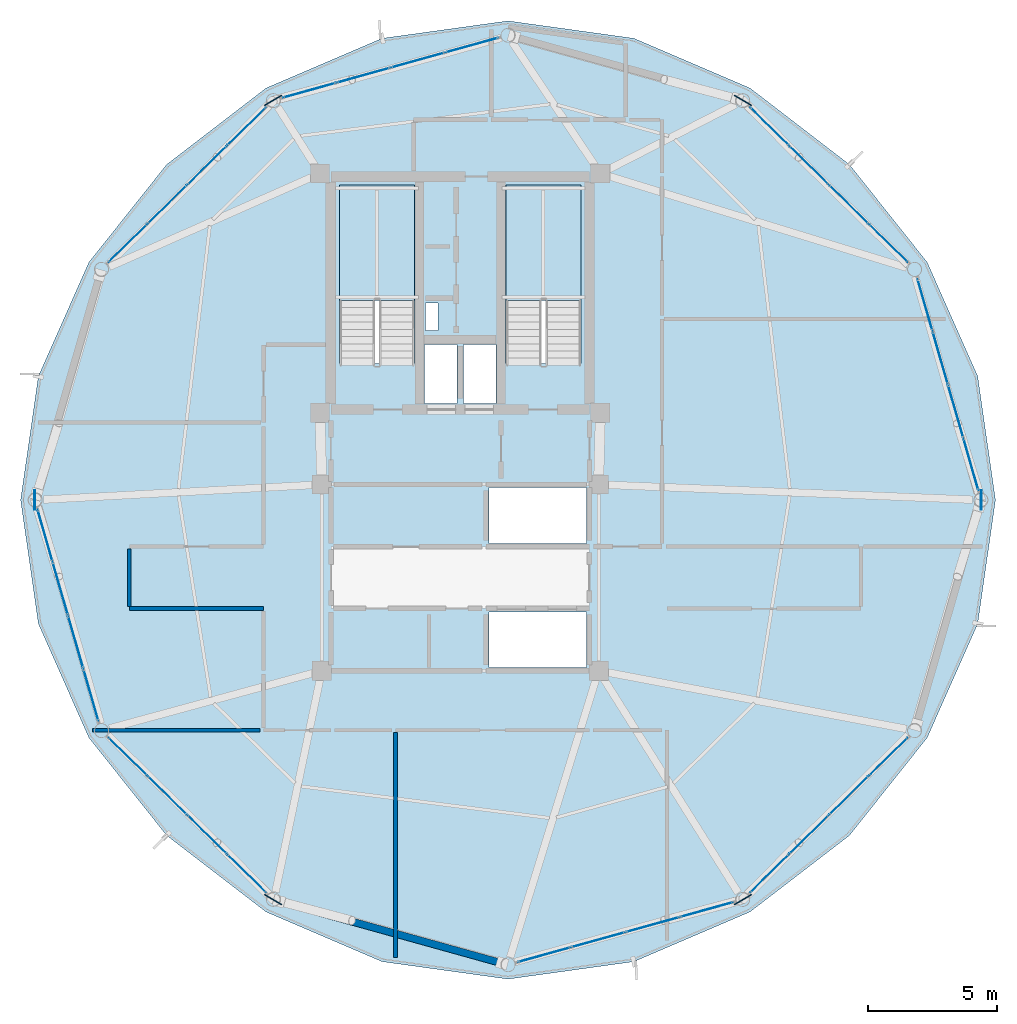
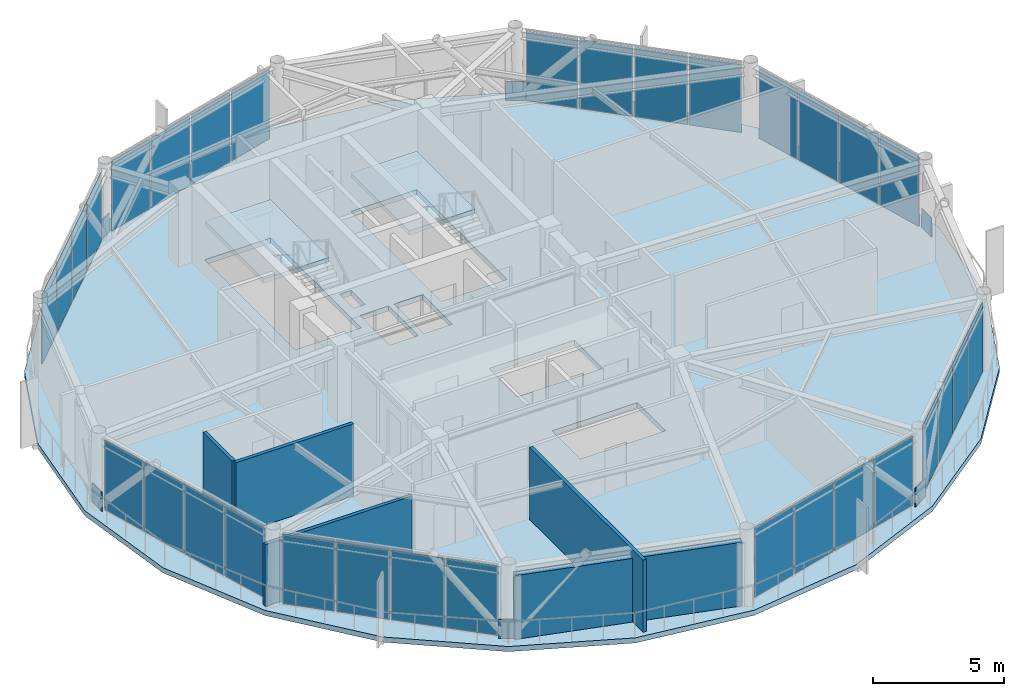
# One storey, part 19 of 25: 38 plates, 5 walls, 3 slabs, 10 elements without a shape of their own.
"""IFC4 building model written with IfcOpenShell, lengths in metres."""

from ifc_helpers import new_model, si_unit, direction, frame, frame_2d, origin, origin_2d, place, context, subcontext, project, spatial, polyline, rectangle, outline, extrude, source, transform, mapped, material, layer, layer_set, type_object, type_shapes, element, aggregate, save


model = new_model("IFC4")

# Units and contexts
model_context = context("Model", 3, precision=1e-05, world=origin(), true_north=direction((0.0, 1.0)))
body_context = subcontext(model_context, "Body", "Model", "MODEL_VIEW")
ifc_project = project(units=[si_unit("LENGTHUNIT", "METRE"), si_unit("AREAUNIT", "SQUARE_METRE"), si_unit("VOLUMEUNIT", "CUBIC_METRE"), si_unit("PLANEANGLEUNIT", "RADIAN"), si_unit("MASSUNIT", "GRAM", prefix="KILO")], contexts=[model_context])

# Site, building, storey
site_placement = place(None, origin())
site = spatial("IfcSite", under=ifc_project, at=site_placement, CompositionType="ELEMENT")
building_placement = place(site_placement, origin())
building = spatial("IfcBuilding", under=site, at=building_placement, Name="Varnakorn Sky Granary", CompositionType="ELEMENT")
storey_placement = place(building_placement, frame((0.0, 0.0, 259.800048828125)))
storey = spatial("IfcBuildingStorey", under=building, at=storey_placement, Name="L66", CompositionType="ELEMENT", Elevation=259.800048828125)

# Plates
ifc_material_1 = material(Name="Steel S460M", Category="steel")
ifc_layer_1 = layer(ifc_material_1, 0.035888671875, Name="Steel S460M")
ifc_layer_set_1 = layer_set([ifc_layer_1], Name="Steel S460M")
plate_type_1 = type_object("IfcPlateType", Name="PL-NODE-KN4", PredefinedType="SHEET", material=ifc_layer_set_1)
for number, where, z_axis, x_axis, name in (
    (1, (23.14208984375, 0.0, 0.0), (0.0, 0.0, 1.0), (0.0, 1.0, 0.0), "Diagrid Node Gusset Assembly KN4 L66-1"),
    (2, (13.928466796875, 15.4462890625, 0.0), (0.0, 0.0, 1.0), (-0.86211996365, 0.506704221687, 0.0), "Diagrid Node Gusset Assembly KN4 L66-3"),
    (3, (-4.228515625, 15.4462890625, 0.0), (0.0, 0.0, 1.0), (-0.86211996365, -0.506704221687, 0.0), "Diagrid Node Gusset Assembly KN4 L66-5"),
    (4, (-13.44189453125, 0.0, 0.0), (0.0, 0.0, 1.0), (0.0, -1.0, 0.0), "Diagrid Node Gusset Assembly KN4 L66-7"),
    (5, (-4.228515625, -15.4462890625, 0.0), (0.0, 0.0, 1.0), (0.86211996365, -0.506704221687, 0.0), "Diagrid Node Gusset Assembly KN4 L66-9"),
    (6, (13.928466796875, -15.4462890625, 0.0), (0.0, 0.0, 1.0), (0.86211996365, 0.506704221687, 0.0), "Diagrid Node Gusset Assembly KN4 L66-11"),
):
    element("IfcPlate", number, at=place(storey_placement, frame(where, z_axis=z_axis, x_axis=x_axis)), inside=storey, type_object=plate_type_1, Name=name, PredefinedType="SHEET", context=body_context, shape_type="SweptSolid", body=[
        extrude(rectangle(XDim=0.760009765625, YDim=0.035888671875, at=origin_2d()), origin(), (0.0, 0.0, 1.0), 0.8798828125),
    ])

# Stair, slab
ifc_material_2 = material(Name="Concrete C40/50", Category="concrete")
stair_type = type_object("IfcStairType", Name="ST-MAIN-ASSEMBLY", PredefinedType="HALF_TURN_STAIR", material=ifc_material_2)
stair_1_placement = place(storey_placement, origin())
stair_1 = element("IfcStair", 7, at=stair_1_placement, inside=storey, type_object=stair_type, Name="L66 Protected Exit Stair ST-1", PredefinedType="HALF_TURN_STAIR")
ifc_layer_2 = layer(ifc_material_2, 0.199951171875, Name="Concrete C40/50")
ifc_layer_set_2 = layer_set([ifc_layer_2], Name="Concrete C40/50")
slab_type_1 = type_object("IfcSlabType", Name="ST-MAIN-LAND", PredefinedType="LANDING", material=ifc_layer_set_2)
slab_1_placement = place(storey_placement, frame((0.0, 0.0, 1.599853515625)))
slab_1 = element("IfcSlab", 8, at=slab_1_placement, type_object=slab_type_1, Name="ST-1 landing 1", PredefinedType="LANDING", context=body_context, shape_type="SweptSolid", body=[
    extrude(outline(polyline([(1.239990234375, 7.719970703125), (1.239990234375, 12.179931640625), (-1.669921875, 12.179931640625), (-1.669921875, 7.719970703125), (1.239990234375, 7.719970703125)])), origin(), (0.0, 0.0, 1.0), 0.2001953125),
])
aggregate(stair_1, [slab_1])

stair_2_placement = place(storey_placement, origin())
stair_2 = element("IfcStair", 9, at=stair_2_placement, inside=storey, type_object=stair_type, Name="L66 Protected Exit Stair ST-2", PredefinedType="HALF_TURN_STAIR")
slab_2_placement = place(storey_placement, frame((0.0, 0.0, 1.599853515625)))
slab_2 = element("IfcSlab", 10, at=slab_2_placement, type_object=slab_type_1, Name="ST-2 landing 1", PredefinedType="LANDING", context=body_context, shape_type="SweptSolid", body=[
    extrude(outline(polyline([(7.679931640625, 7.719970703125), (7.679931640625, 12.179931640625), (4.77001953125, 12.179931640625), (4.77001953125, 7.719970703125), (7.679931640625, 7.719970703125)])), origin(), (0.0, 0.0, 1.0), 0.2001953125),
])
aggregate(stair_2, [slab_2])

# Slab
ifc_material_3 = material(Name="Concrete C50/60", Category="concrete")
ifc_layer_3 = layer(ifc_material_3, 0.239990234375, Name="Concrete C50/60")
ifc_layer_set_3 = layer_set([ifc_layer_3], Name="Concrete C50/60")
slab_type_2 = type_object("IfcSlabType", Name="ST-SL-TWR-240", PredefinedType="FLOOR", material=ifc_layer_set_3)
slab_3_placement = place(storey_placement, frame((0.0, 0.0, -0.239990234375)))
element("IfcSlab", 11, at=slab_3_placement, inside=storey, type_object=slab_type_2, Name="Level L66 Structural Floor Slab", PredefinedType="FLOOR", context=body_context, shape_type="SweptSolid", body=[
    extrude(outline(polyline([(23.69189453125, 0.0), (23.006591796875, 4.781982421875), (21.05078125, 9.193115234375), (18.0458984375, 12.968994140625), (14.20361328125, 15.922607421875), (9.715087890625, 17.846435546875), (4.85009765625, 18.52099609375), (-0.014892578125, 17.846435546875), (-4.50341796875, 15.922607421875), (-8.345947265625, 12.968994140625), (-11.3505859375, 9.193115234375), (-13.306396484375, 4.781982421875), (-13.991943359375, 0.0), (-13.306396484375, -4.781982421875), (-11.3505859375, -9.193115234375), (-8.345947265625, -12.968994140625), (-4.50341796875, -15.922607421875), (-0.014892578125, -17.846435546875), (4.85009765625, -18.52099609375), (9.715087890625, -17.846435546875), (14.20361328125, -15.922607421875), (18.0458984375, -12.968994140625), (21.05078125, -9.193115234375), (23.006591796875, -4.781982421875), (23.69189453125, 0.0)]), holes=[polyline([(1.239990234375, 5.27490234375), (1.239990234375, 12.179931640625), (-1.669921875, 12.179931640625), (-1.669921875, 5.27490234375), (1.239990234375, 5.27490234375)]), polyline([(7.679931640625, 5.27490234375), (7.679931640625, 12.179931640625), (4.77001953125, 12.179931640625), (4.77001953125, 5.27490234375), (7.679931640625, 5.27490234375)]), polyline([(1.659912109375, 6.550048828125), (2.14990234375, 6.550048828125), (2.14990234375, 7.6201171875), (1.659912109375, 7.6201171875), (1.659912109375, 6.550048828125)]), polyline([(1.6201171875, 3.739990234375), (2.8798828125, 3.739990234375), (2.8798828125, 6.010009765625), (1.6201171875, 6.010009765625), (1.6201171875, 3.739990234375)]), polyline([(3.1201171875, 3.739990234375), (4.3798828125, 3.739990234375), (4.3798828125, 6.010009765625), (3.1201171875, 6.010009765625), (3.1201171875, 3.739990234375)]), polyline([(4.1201171875, -1.679931640625), (7.8798828125, -1.679931640625), (7.8798828125, 0.47998046875), (4.1201171875, 0.47998046875), (4.1201171875, -1.679931640625)]), polyline([(4.1201171875, -6.47998046875), (7.8798828125, -6.47998046875), (7.8798828125, -4.320068359375), (4.1201171875, -4.320068359375), (4.1201171875, -6.47998046875)])]), origin(), (0.0, 0.0, 1.0), 0.239990234375),
])

# Curtain wall, plates
ifc_material_4 = material(Name="Anodised Bronze Aluminium Alloy 6063-T6", Category="aluminium")
ifc_layer_4 = layer(ifc_material_4, 0.159912109375, Name="Anodised Bronze Aluminium Alloy 6063-T6")
ifc_layer_set_4 = layer_set([ifc_layer_4], Name="Anodised Bronze Aluminium Alloy 6063-T6")
curtain_wall_type = type_object("IfcCurtainWallType", Name="CW-OFF-1", PredefinedType="USERDEFINED", material=ifc_layer_set_4)
curtain_wall_1_placement = place(storey_placement, origin())
curtain_wall_1 = element("IfcCurtainWall", 12, at=curtain_wall_1_placement, inside=storey, type_object=curtain_wall_type, Name="Unitised Curtain Wall CW6 CW-L66-B01", ObjectType="CURTAIN WALL", PredefinedType="USERDEFINED")
ifc_material_5 = material(Name="Low-E Tinted Laminated Glass", Category="glass")
ifc_layer_5 = layer(ifc_material_5, 0.02392578125, Name="Low-E Tinted Laminated Glass")
ifc_layer_set_5 = layer_set([ifc_layer_5], Name="Low-E Tinted Laminated Glass")
plate_type_2 = type_object("IfcPlateType", Name="CW-OFF-1-PNL", PredefinedType="CURTAIN_PANEL")
shared_shape_1 = source(origin(), body_context, "Body", "SweptSolid", [
    extrude(rectangle(XDim=2.052734375, YDim=0.02392578125, at=origin_2d()), origin(), (0.0, 0.0, 1.0), 3.22998046875),
])
plate_1_placement = place(storey_placement, frame((20.97021484375, 7.54296875, 0.06494140625), z_axis=(0.0, 0.0, 1.0), x_axis=(0.27667680725, -0.960963029638, 0.0)))
plate_1 = element("IfcPlate", 13, at=plate_1_placement, type_object=plate_type_2, material=ifc_layer_set_5, Name="CW6 vision glazing unit 1.1", PredefinedType="CURTAIN_PANEL", context=body_context, shape_type="MappedRepresentation", body=[
    mapped(shared_shape_1, transform((0.0, 0.0, 0.0), x_axis=(1.0, 0.0, 0.0), y_axis=(0.0, 1.0, 0.0), z_axis=(0.0, 0.0, 1.0), scale=1.0)),
])
ifc_material_6 = material(Name="Opaque Insulated Aluminium Shadow-Box Unit", Category="aluminium")
ifc_layer_6 = layer(ifc_material_6, 0.02392578125, Name="Opaque Insulated Aluminium Shadow-Box Unit")
ifc_layer_set_6 = layer_set([ifc_layer_6], Name="Opaque Insulated Aluminium Shadow-Box Unit")
plate_2_placement = place(storey_placement, frame((22.74609375, 1.375, 0.06494140625), z_axis=(0.0, 0.0, 1.0), x_axis=(0.27667680725, -0.960963029638, 0.0)))
plate_2 = element("IfcPlate", 14, at=plate_2_placement, type_object=plate_type_2, material=ifc_layer_set_6, Name="CW6 opaque insulated shadow-box unit 4.1", PredefinedType="CURTAIN_PANEL", context=body_context, shape_type="MappedRepresentation", body=[
    mapped(shared_shape_1, transform((0.0, 0.0, 0.0), x_axis=(1.0, 0.0, 0.0), y_axis=(0.0, 1.0, 0.0), z_axis=(0.0, 0.0, 1.0), scale=1.0)),
])

curtain_wall_2_placement = place(storey_placement, origin())
curtain_wall_2 = element("IfcCurtainWall", 15, at=curtain_wall_2_placement, inside=storey, type_object=curtain_wall_type, Name="Unitised Curtain Wall CW6 CW-L66-B07", ObjectType="CURTAIN WALL", PredefinedType="USERDEFINED")
plate_3_placement = place(storey_placement, frame((-11.270263671875, -7.54296875, 0.06494140625), z_axis=(0.0, 0.0, 1.0), x_axis=(-0.27667680725, 0.960963029638, 0.0)))
plate_3 = element("IfcPlate", 16, at=plate_3_placement, type_object=plate_type_2, material=ifc_layer_set_5, Name="CW6 vision glazing unit 1.1", PredefinedType="CURTAIN_PANEL", context=body_context, shape_type="MappedRepresentation", body=[
    mapped(shared_shape_1, transform((0.0, 0.0, 0.0), x_axis=(1.0, 0.0, 0.0), y_axis=(0.0, 1.0, 0.0), z_axis=(0.0, 0.0, 1.0), scale=1.0)),
])
plate_4_placement = place(storey_placement, frame((-13.046142578125, -1.375, 0.06494140625), z_axis=(0.0, 0.0, 1.0), x_axis=(-0.27667680725, 0.960963029638, 0.0)))
plate_4 = element("IfcPlate", 17, at=plate_4_placement, type_object=plate_type_2, material=ifc_layer_set_6, Name="CW6 opaque insulated shadow-box unit 4.1", PredefinedType="CURTAIN_PANEL", context=body_context, shape_type="MappedRepresentation", body=[
    mapped(shared_shape_1, transform((0.0, 0.0, 0.0), x_axis=(1.0, 0.0, 0.0), y_axis=(0.0, 1.0, 0.0), z_axis=(0.0, 0.0, 1.0), scale=1.0)),
])

# Plate
shared_shape_2 = source(origin(), body_context, "Body", "SweptSolid", [
    extrude(rectangle(XDim=2.08544921875, YDim=0.02392578125, at=origin_2d()), origin(), (0.0, 0.0, 1.0), 3.22998046875),
])
plate_5_placement = place(storey_placement, frame((21.560791015625, 5.4921875, 0.06494140625), z_axis=(0.0, 0.0, 1.0), x_axis=(0.27667680725, -0.960963029638, 0.0)))
plate_5 = element("IfcPlate", 18, at=plate_5_placement, type_object=plate_type_2, material=ifc_layer_set_5, Name="CW6 vision glazing unit 2.1", PredefinedType="CURTAIN_PANEL", context=body_context, shape_type="MappedRepresentation", body=[
    mapped(shared_shape_2, transform((0.0, 0.0, 0.0), x_axis=(1.0, 0.0, 0.0), y_axis=(0.0, 1.0, 0.0), z_axis=(0.0, 0.0, 1.0), scale=1.0)),
])

plate_6_placement = place(storey_placement, frame((22.15576171875, 3.42578125, 0.06494140625), z_axis=(0.0, 0.0, 1.0), x_axis=(0.27667680725, -0.960963029638, 0.0)))
plate_6 = element("IfcPlate", 19, at=plate_6_placement, type_object=plate_type_2, material=ifc_layer_set_6, Name="CW6 opaque insulated shadow-box unit 3.1", PredefinedType="CURTAIN_PANEL", context=body_context, shape_type="MappedRepresentation", body=[
    mapped(shared_shape_2, transform((0.0, 0.0, 0.0), x_axis=(1.0, 0.0, 0.0), y_axis=(0.0, 1.0, 0.0), z_axis=(0.0, 0.0, 1.0), scale=1.0)),
])

aggregate(curtain_wall_1, [plate_1, plate_5, plate_6, plate_2])

plate_7_placement = place(storey_placement, frame((-11.86083984375, -5.4921875, 0.06494140625), z_axis=(0.0, 0.0, 1.0), x_axis=(-0.27667680725, 0.960963029638, 0.0)))
plate_7 = element("IfcPlate", 20, at=plate_7_placement, type_object=plate_type_2, material=ifc_layer_set_5, Name="CW6 vision glazing unit 2.1", PredefinedType="CURTAIN_PANEL", context=body_context, shape_type="MappedRepresentation", body=[
    mapped(shared_shape_2, transform((0.0, 0.0, 0.0), x_axis=(1.0, 0.0, 0.0), y_axis=(0.0, 1.0, 0.0), z_axis=(0.0, 0.0, 1.0), scale=1.0)),
])

plate_8_placement = place(storey_placement, frame((-12.45556640625, -3.42578125, 0.06494140625), z_axis=(0.0, 0.0, 1.0), x_axis=(-0.27667680725, 0.960963029638, 0.0)))
plate_8 = element("IfcPlate", 21, at=plate_8_placement, type_object=plate_type_2, material=ifc_layer_set_6, Name="CW6 opaque insulated shadow-box unit 3.1", PredefinedType="CURTAIN_PANEL", context=body_context, shape_type="MappedRepresentation", body=[
    mapped(shared_shape_2, transform((0.0, 0.0, 0.0), x_axis=(1.0, 0.0, 0.0), y_axis=(0.0, 1.0, 0.0), z_axis=(0.0, 0.0, 1.0), scale=1.0)),
])

aggregate(curtain_wall_2, [plate_3, plate_7, plate_8, plate_4])

# Curtain wall, plates
curtain_wall_3_placement = place(storey_placement, origin())
curtain_wall_3 = element("IfcCurtainWall", 22, at=curtain_wall_3_placement, inside=storey, type_object=curtain_wall_type, Name="Unitised Curtain Wall CW6 CW-L66-B02", ObjectType="CURTAIN WALL", PredefinedType="USERDEFINED")
shared_shape_3 = source(origin(), body_context, "Body", "SweptSolid", [
    extrude(rectangle(XDim=2.061767578125, YDim=0.02392578125, at=origin_2d()), origin(), (0.0, 0.0, 1.0), 3.22998046875),
])
plate_9_placement = place(storey_placement, frame((14.952392578125, 14.4404296875, 0.06494140625), z_axis=(0.0, 0.0, 1.0), x_axis=(0.713382938068, -0.700774417108, 0.0)))
plate_9 = element("IfcPlate", 23, at=plate_9_placement, type_object=plate_type_2, material=ifc_layer_set_6, Name="CW6 opaque insulated shadow-box unit 1.1", PredefinedType="CURTAIN_PANEL", context=body_context, shape_type="MappedRepresentation", body=[
    mapped(shared_shape_3, transform((0.0, 0.0, 0.0), x_axis=(1.0, 0.0, 0.0), y_axis=(0.0, 1.0, 0.0), z_axis=(0.0, 0.0, 1.0), scale=1.0)),
])
plate_10_placement = place(storey_placement, frame((19.550537109375, 9.923828125, 0.06494140625), z_axis=(0.0, 0.0, 1.0), x_axis=(0.713382938068, -0.700774417108, 0.0)))
plate_10 = element("IfcPlate", 24, at=plate_10_placement, type_object=plate_type_2, material=ifc_layer_set_5, Name="CW6 vision glazing unit 4.1", PredefinedType="CURTAIN_PANEL", context=body_context, shape_type="MappedRepresentation", body=[
    mapped(shared_shape_3, transform((0.0, 0.0, 0.0), x_axis=(1.0, 0.0, 0.0), y_axis=(0.0, 1.0, 0.0), z_axis=(0.0, 0.0, 1.0), scale=1.0)),
])

curtain_wall_4_placement = place(storey_placement, origin())
curtain_wall_4 = element("IfcCurtainWall", 25, at=curtain_wall_4_placement, inside=storey, type_object=curtain_wall_type, Name="Unitised Curtain Wall CW6 CW-L66-B05", ObjectType="CURTAIN WALL", PredefinedType="USERDEFINED")
plate_11_placement = place(storey_placement, frame((-9.850341796875, 9.923828125, 0.06494140625), z_axis=(0.0, 0.0, 1.0), x_axis=(0.713382938068, 0.700774417108, 0.0)))
plate_11 = element("IfcPlate", 26, at=plate_11_placement, type_object=plate_type_2, material=ifc_layer_set_5, Name="CW6 vision glazing unit 1.1", PredefinedType="CURTAIN_PANEL", context=body_context, shape_type="MappedRepresentation", body=[
    mapped(shared_shape_3, transform((0.0, 0.0, 0.0), x_axis=(1.0, 0.0, 0.0), y_axis=(0.0, 1.0, 0.0), z_axis=(0.0, 0.0, 1.0), scale=1.0)),
])
plate_12_placement = place(storey_placement, frame((-5.25244140625, 14.4404296875, 0.06494140625), z_axis=(0.0, 0.0, 1.0), x_axis=(0.713382938068, 0.700774417108, 0.0)))
plate_12 = element("IfcPlate", 27, at=plate_12_placement, type_object=plate_type_2, material=ifc_layer_set_6, Name="CW6 opaque insulated shadow-box unit 4.1", PredefinedType="CURTAIN_PANEL", context=body_context, shape_type="MappedRepresentation", body=[
    mapped(shared_shape_3, transform((0.0, 0.0, 0.0), x_axis=(1.0, 0.0, 0.0), y_axis=(0.0, 1.0, 0.0), z_axis=(0.0, 0.0, 1.0), scale=1.0)),
])

curtain_wall_5_placement = place(storey_placement, origin())
curtain_wall_5 = element("IfcCurtainWall", 28, at=curtain_wall_5_placement, inside=storey, type_object=curtain_wall_type, Name="Unitised Curtain Wall CW6 CW-L66-B08", ObjectType="CURTAIN WALL", PredefinedType="USERDEFINED")
plate_13_placement = place(storey_placement, frame((-5.25244140625, -14.4404296875, 0.06494140625), z_axis=(0.0, 0.0, 1.0), x_axis=(-0.713382938068, 0.700774417108, 0.0)))
plate_13 = element("IfcPlate", 29, at=plate_13_placement, type_object=plate_type_2, material=ifc_layer_set_6, Name="CW6 opaque insulated shadow-box unit 1.1", PredefinedType="CURTAIN_PANEL", context=body_context, shape_type="MappedRepresentation", body=[
    mapped(shared_shape_3, transform((0.0, 0.0, 0.0), x_axis=(1.0, 0.0, 0.0), y_axis=(0.0, 1.0, 0.0), z_axis=(0.0, 0.0, 1.0), scale=1.0)),
])
plate_14_placement = place(storey_placement, frame((-9.850341796875, -9.923828125, 0.06494140625), z_axis=(0.0, 0.0, 1.0), x_axis=(-0.713382938068, 0.700774417108, 0.0)))
plate_14 = element("IfcPlate", 30, at=plate_14_placement, type_object=plate_type_2, material=ifc_layer_set_5, Name="CW6 vision glazing unit 4.1", PredefinedType="CURTAIN_PANEL", context=body_context, shape_type="MappedRepresentation", body=[
    mapped(shared_shape_3, transform((0.0, 0.0, 0.0), x_axis=(1.0, 0.0, 0.0), y_axis=(0.0, 1.0, 0.0), z_axis=(0.0, 0.0, 1.0), scale=1.0)),
])

curtain_wall_6_placement = place(storey_placement, origin())
curtain_wall_6 = element("IfcCurtainWall", 31, at=curtain_wall_6_placement, inside=storey, type_object=curtain_wall_type, Name="Unitised Curtain Wall CW6 CW-L66-B11", ObjectType="CURTAIN WALL", PredefinedType="USERDEFINED")
plate_15_placement = place(storey_placement, frame((19.550537109375, -9.923828125, 0.06494140625), z_axis=(0.0, 0.0, 1.0), x_axis=(-0.713382938068, -0.700774417108, 0.0)))
plate_15 = element("IfcPlate", 32, at=plate_15_placement, type_object=plate_type_2, material=ifc_layer_set_5, Name="CW6 vision glazing unit 1.1", PredefinedType="CURTAIN_PANEL", context=body_context, shape_type="MappedRepresentation", body=[
    mapped(shared_shape_3, transform((0.0, 0.0, 0.0), x_axis=(1.0, 0.0, 0.0), y_axis=(0.0, 1.0, 0.0), z_axis=(0.0, 0.0, 1.0), scale=1.0)),
])
plate_16_placement = place(storey_placement, frame((14.952392578125, -14.4404296875, 0.06494140625), z_axis=(0.0, 0.0, 1.0), x_axis=(-0.713382938068, -0.700774417108, 0.0)))
plate_16 = element("IfcPlate", 33, at=plate_16_placement, type_object=plate_type_2, material=ifc_layer_set_6, Name="CW6 opaque insulated shadow-box unit 4.1", PredefinedType="CURTAIN_PANEL", context=body_context, shape_type="MappedRepresentation", body=[
    mapped(shared_shape_3, transform((0.0, 0.0, 0.0), x_axis=(1.0, 0.0, 0.0), y_axis=(0.0, 1.0, 0.0), z_axis=(0.0, 0.0, 1.0), scale=1.0)),
])

# Plate
shared_shape_4 = source(origin(), body_context, "Body", "SweptSolid", [
    extrude(rectangle(XDim=2.09423828125, YDim=0.02392578125, at=origin_2d()), origin(), (0.0, 0.0, 1.0), 3.22998046875),
])
plate_17_placement = place(storey_placement, frame((16.481201171875, 12.938720703125, 0.06494140625), z_axis=(0.0, 0.0, 1.0), x_axis=(0.713382938068, -0.700774417108, 0.0)))
plate_17 = element("IfcPlate", 34, at=plate_17_placement, type_object=plate_type_2, material=ifc_layer_set_6, Name="CW6 opaque insulated shadow-box unit 2.1", PredefinedType="CURTAIN_PANEL", context=body_context, shape_type="MappedRepresentation", body=[
    mapped(shared_shape_4, transform((0.0, 0.0, 0.0), x_axis=(1.0, 0.0, 0.0), y_axis=(0.0, 1.0, 0.0), z_axis=(0.0, 0.0, 1.0), scale=1.0)),
])

plate_18_placement = place(storey_placement, frame((18.021728515625, 11.425537109375, 0.06494140625), z_axis=(0.0, 0.0, 1.0), x_axis=(0.713382938068, -0.700774417108, 0.0)))
plate_18 = element("IfcPlate", 35, at=plate_18_placement, type_object=plate_type_2, material=ifc_layer_set_5, Name="CW6 vision glazing unit 3.1", PredefinedType="CURTAIN_PANEL", context=body_context, shape_type="MappedRepresentation", body=[
    mapped(shared_shape_4, transform((0.0, 0.0, 0.0), x_axis=(1.0, 0.0, 0.0), y_axis=(0.0, 1.0, 0.0), z_axis=(0.0, 0.0, 1.0), scale=1.0)),
])

aggregate(curtain_wall_3, [plate_9, plate_17, plate_18, plate_10])

plate_19_placement = place(storey_placement, frame((-8.321533203125, 11.425537109375, 0.06494140625), z_axis=(0.0, 0.0, 1.0), x_axis=(0.713382938068, 0.700774417108, 0.0)))
plate_19 = element("IfcPlate", 36, at=plate_19_placement, type_object=plate_type_2, material=ifc_layer_set_5, Name="CW6 vision glazing unit 2.1", PredefinedType="CURTAIN_PANEL", context=body_context, shape_type="MappedRepresentation", body=[
    mapped(shared_shape_4, transform((0.0, 0.0, 0.0), x_axis=(1.0, 0.0, 0.0), y_axis=(0.0, 1.0, 0.0), z_axis=(0.0, 0.0, 1.0), scale=1.0)),
])

plate_20_placement = place(storey_placement, frame((-6.78125, 12.938720703125, 0.06494140625), z_axis=(0.0, 0.0, 1.0), x_axis=(0.713382938068, 0.700774417108, 0.0)))
plate_20 = element("IfcPlate", 37, at=plate_20_placement, type_object=plate_type_2, material=ifc_layer_set_6, Name="CW6 opaque insulated shadow-box unit 3.1", PredefinedType="CURTAIN_PANEL", context=body_context, shape_type="MappedRepresentation", body=[
    mapped(shared_shape_4, transform((0.0, 0.0, 0.0), x_axis=(1.0, 0.0, 0.0), y_axis=(0.0, 1.0, 0.0), z_axis=(0.0, 0.0, 1.0), scale=1.0)),
])

aggregate(curtain_wall_4, [plate_11, plate_19, plate_20, plate_12])

plate_21_placement = place(storey_placement, frame((-6.78125, -12.938720703125, 0.06494140625), z_axis=(0.0, 0.0, 1.0), x_axis=(-0.713382938068, 0.700774417108, 0.0)))
plate_21 = element("IfcPlate", 38, at=plate_21_placement, type_object=plate_type_2, material=ifc_layer_set_6, Name="CW6 opaque insulated shadow-box unit 2.1", PredefinedType="CURTAIN_PANEL", context=body_context, shape_type="MappedRepresentation", body=[
    mapped(shared_shape_4, transform((0.0, 0.0, 0.0), x_axis=(1.0, 0.0, 0.0), y_axis=(0.0, 1.0, 0.0), z_axis=(0.0, 0.0, 1.0), scale=1.0)),
])

plate_22_placement = place(storey_placement, frame((-8.321533203125, -11.425537109375, 0.06494140625), z_axis=(0.0, 0.0, 1.0), x_axis=(-0.713382938068, 0.700774417108, 0.0)))
plate_22 = element("IfcPlate", 39, at=plate_22_placement, type_object=plate_type_2, material=ifc_layer_set_5, Name="CW6 vision glazing unit 3.1", PredefinedType="CURTAIN_PANEL", context=body_context, shape_type="MappedRepresentation", body=[
    mapped(shared_shape_4, transform((0.0, 0.0, 0.0), x_axis=(1.0, 0.0, 0.0), y_axis=(0.0, 1.0, 0.0), z_axis=(0.0, 0.0, 1.0), scale=1.0)),
])

aggregate(curtain_wall_5, [plate_13, plate_21, plate_22, plate_14])

plate_23_placement = place(storey_placement, frame((18.021728515625, -11.425537109375, 0.06494140625), z_axis=(0.0, 0.0, 1.0), x_axis=(-0.713382938068, -0.700774417108, 0.0)))
plate_23 = element("IfcPlate", 40, at=plate_23_placement, type_object=plate_type_2, material=ifc_layer_set_5, Name="CW6 vision glazing unit 2.1", PredefinedType="CURTAIN_PANEL", context=body_context, shape_type="MappedRepresentation", body=[
    mapped(shared_shape_4, transform((0.0, 0.0, 0.0), x_axis=(1.0, 0.0, 0.0), y_axis=(0.0, 1.0, 0.0), z_axis=(0.0, 0.0, 1.0), scale=1.0)),
])

plate_24_placement = place(storey_placement, frame((16.481201171875, -12.938720703125, 0.06494140625), z_axis=(0.0, 0.0, 1.0), x_axis=(-0.713382938068, -0.700774417108, 0.0)))
plate_24 = element("IfcPlate", 41, at=plate_24_placement, type_object=plate_type_2, material=ifc_layer_set_6, Name="CW6 opaque insulated shadow-box unit 3.1", PredefinedType="CURTAIN_PANEL", context=body_context, shape_type="MappedRepresentation", body=[
    mapped(shared_shape_4, transform((0.0, 0.0, 0.0), x_axis=(1.0, 0.0, 0.0), y_axis=(0.0, 1.0, 0.0), z_axis=(0.0, 0.0, 1.0), scale=1.0)),
])

aggregate(curtain_wall_6, [plate_15, plate_23, plate_24, plate_16])

# Curtain wall, plates
curtain_wall_7_placement = place(storey_placement, origin())
curtain_wall_7 = element("IfcCurtainWall", 42, at=curtain_wall_7_placement, inside=storey, type_object=curtain_wall_type, Name="Unitised Curtain Wall CW6 CW-L66-B04", ObjectType="CURTAIN WALL", PredefinedType="USERDEFINED")
shared_shape_5 = source(origin(), body_context, "Body", "SweptSolid", [
    extrude(rectangle(XDim=2.08837890625, YDim=0.02392578125, at=origin_2d()), origin(), (0.0, 0.0, 1.0), 3.22998046875),
])
plate_25_placement = place(storey_placement, frame((-2.832763671875, 15.83447265625, 0.06494140625), z_axis=(0.0, 0.0, 1.0), x_axis=(0.963443650133, 0.267911054305, 0.0)))
plate_25 = element("IfcPlate", 43, at=plate_25_placement, type_object=plate_type_2, material=ifc_layer_set_6, Name="CW6 opaque insulated shadow-box unit 1.1", PredefinedType="CURTAIN_PANEL", context=body_context, shape_type="MappedRepresentation", body=[
    mapped(shared_shape_5, transform((0.0, 0.0, 0.0), x_axis=(1.0, 0.0, 0.0), y_axis=(0.0, 1.0, 0.0), z_axis=(0.0, 0.0, 1.0), scale=1.0)),
])
plate_26_placement = place(storey_placement, frame((3.4541015625, 17.582763671875, 0.06494140625), z_axis=(0.0, 0.0, 1.0), x_axis=(0.963443650133, 0.267911054305, 0.0)))
plate_26 = element("IfcPlate", 44, at=plate_26_placement, type_object=plate_type_2, material=ifc_layer_set_5, Name="CW6 vision glazing unit 4.1", PredefinedType="CURTAIN_PANEL", context=body_context, shape_type="MappedRepresentation", body=[
    mapped(shared_shape_5, transform((0.0, 0.0, 0.0), x_axis=(1.0, 0.0, 0.0), y_axis=(0.0, 1.0, 0.0), z_axis=(0.0, 0.0, 1.0), scale=1.0)),
])

curtain_wall_8_placement = place(storey_placement, origin())
curtain_wall_8 = element("IfcCurtainWall", 45, at=curtain_wall_8_placement, inside=storey, type_object=curtain_wall_type, Name="Unitised Curtain Wall CW6 CW-L66-B10", ObjectType="CURTAIN WALL", PredefinedType="USERDEFINED")
plate_27_placement = place(storey_placement, frame((12.53271484375, -15.83447265625, 0.06494140625), z_axis=(0.0, 0.0, 1.0), x_axis=(-0.963443650133, -0.267911054305, 0.0)))
plate_27 = element("IfcPlate", 46, at=plate_27_placement, type_object=plate_type_2, material=ifc_layer_set_6, Name="CW6 opaque insulated shadow-box unit 1.1", PredefinedType="CURTAIN_PANEL", context=body_context, shape_type="MappedRepresentation", body=[
    mapped(shared_shape_5, transform((0.0, 0.0, 0.0), x_axis=(1.0, 0.0, 0.0), y_axis=(0.0, 1.0, 0.0), z_axis=(0.0, 0.0, 1.0), scale=1.0)),
])
plate_28_placement = place(storey_placement, frame((6.245849609375, -17.582763671875, 0.06494140625), z_axis=(0.0, 0.0, 1.0), x_axis=(-0.963443650133, -0.267911054305, 0.0)))
plate_28 = element("IfcPlate", 47, at=plate_28_placement, type_object=plate_type_2, material=ifc_layer_set_5, Name="CW6 vision glazing unit 4.1", PredefinedType="CURTAIN_PANEL", context=body_context, shape_type="MappedRepresentation", body=[
    mapped(shared_shape_5, transform((0.0, 0.0, 0.0), x_axis=(1.0, 0.0, 0.0), y_axis=(0.0, 1.0, 0.0), z_axis=(0.0, 0.0, 1.0), scale=1.0)),
])

# Plate
shared_shape_6 = source(origin(), body_context, "Body", "SweptSolid", [
    extrude(rectangle(XDim=2.12109375, YDim=0.02392578125, at=origin_2d()), origin(), (0.0, 0.0, 1.0), 3.22998046875),
])
type_shapes(plate_type_2, [shared_shape_1, shared_shape_2, shared_shape_3, shared_shape_4, shared_shape_5, shared_shape_6])
plate_29_placement = place(storey_placement, frame((-0.7421875, 16.415771484375, 0.06494140625), z_axis=(0.0, 0.0, 1.0), x_axis=(0.963443650133, 0.267911054305, 0.0)))
plate_29 = element("IfcPlate", 48, at=plate_29_placement, type_object=plate_type_2, material=ifc_layer_set_6, Name="CW6 opaque insulated shadow-box unit 2.1", PredefinedType="CURTAIN_PANEL", context=body_context, shape_type="MappedRepresentation", body=[
    mapped(shared_shape_6, transform((0.0, 0.0, 0.0), x_axis=(1.0, 0.0, 0.0), y_axis=(0.0, 1.0, 0.0), z_axis=(0.0, 0.0, 1.0), scale=1.0)),
])

plate_30_placement = place(storey_placement, frame((1.36376953125, 17.00146484375, 0.06494140625), z_axis=(0.0, 0.0, 1.0), x_axis=(0.963443650133, 0.267911054305, 0.0)))
plate_30 = element("IfcPlate", 49, at=plate_30_placement, type_object=plate_type_2, material=ifc_layer_set_5, Name="CW6 vision glazing unit 3.1", PredefinedType="CURTAIN_PANEL", context=body_context, shape_type="MappedRepresentation", body=[
    mapped(shared_shape_6, transform((0.0, 0.0, 0.0), x_axis=(1.0, 0.0, 0.0), y_axis=(0.0, 1.0, 0.0), z_axis=(0.0, 0.0, 1.0), scale=1.0)),
])

aggregate(curtain_wall_7, [plate_25, plate_29, plate_30, plate_26])

plate_31_placement = place(storey_placement, frame((10.4423828125, -16.415771484375, 0.06494140625), z_axis=(0.0, 0.0, 1.0), x_axis=(-0.963443650133, -0.267911054305, 0.0)))
plate_31 = element("IfcPlate", 50, at=plate_31_placement, type_object=plate_type_2, material=ifc_layer_set_6, Name="CW6 opaque insulated shadow-box unit 2.1", PredefinedType="CURTAIN_PANEL", context=body_context, shape_type="MappedRepresentation", body=[
    mapped(shared_shape_6, transform((0.0, 0.0, 0.0), x_axis=(1.0, 0.0, 0.0), y_axis=(0.0, 1.0, 0.0), z_axis=(0.0, 0.0, 1.0), scale=1.0)),
])

plate_32_placement = place(storey_placement, frame((8.336181640625, -17.00146484375, 0.06494140625), z_axis=(0.0, 0.0, 1.0), x_axis=(-0.963443650133, -0.267911054305, 0.0)))
plate_32 = element("IfcPlate", 51, at=plate_32_placement, type_object=plate_type_2, material=ifc_layer_set_5, Name="CW6 vision glazing unit 3.1", PredefinedType="CURTAIN_PANEL", context=body_context, shape_type="MappedRepresentation", body=[
    mapped(shared_shape_6, transform((0.0, 0.0, 0.0), x_axis=(1.0, 0.0, 0.0), y_axis=(0.0, 1.0, 0.0), z_axis=(0.0, 0.0, 1.0), scale=1.0)),
])

aggregate(curtain_wall_8, [plate_27, plate_31, plate_32, plate_28])

# Walls
ifc_material_7 = material(Name="Precast concrete C40/50", Category="concrete")
ifc_layer_7 = layer(ifc_material_7, 0.280029296875, Name="Precast concrete C40/50")
ifc_layer_set_7 = layer_set([ifc_layer_7], Name="Precast concrete C40/50")
wall_type_1 = type_object("IfcWallType", Name="WT-EW-CRN-280", PredefinedType="SOLIDWALL", material=ifc_layer_set_7)
wall_1_placement = place(storey_placement, frame((4.6240234375, -17.908203125, 0.0), z_axis=(0.0, 0.0, 1.0), x_axis=(-0.963442479869, 0.267915262691, 0.0)))
element("IfcWall", 52, at=wall_1_placement, inside=storey, type_object=wall_type_1, Name="Agritech Insulated Precast Facade Wall L66-P09", PredefinedType="SOLIDWALL", context=body_context, shape_type="SweptSolid", body=[
    extrude(rectangle(XDim=8.9541015625, YDim=0.280029296875, at=frame_2d((4.47705078125, 0.0))), origin(), (0.0, 0.0, 1.0), 2.969970703125),
])
ifc_material_8 = material(Name="Gypsum Plasterboard on Steel Stud", Category="steel")
ifc_layer_8 = layer(ifc_material_8, 0.14990234375, Name="Gypsum Plasterboard on Steel Stud")
ifc_layer_set_8 = layer_set([ifc_layer_8], Name="Gypsum Plasterboard on Steel Stud")
wall_type_2 = type_object("IfcWallType", Name="WT-PART-150", PredefinedType="PARTITIONING", material=ifc_layer_set_8)
wall_2_placement = place(storey_placement, frame((0.5, -8.985107421875, 0.0), z_axis=(0.0, 0.0, 1.0), x_axis=(0.0, -1.0, 0.0)))
element("IfcWall", 53, at=wall_2_placement, inside=storey, type_object=wall_type_2, Name="Interior Partition Wall L66-036", PredefinedType="PARTITIONING", context=body_context, shape_type="SweptSolid", body=[
    extrude(rectangle(XDim=8.69189453125, YDim=0.14990234375, at=frame_2d((4.345947265625, 0.0))), origin(), (0.0, 0.0, 1.0), 3.35986328125),
])
wall_3_placement = place(storey_placement, frame((-11.219970703125, -8.89990234375, 0.0), z_axis=(0.0, 0.0, 1.0), x_axis=(1.0, 0.0, 0.0)))
element("IfcWall", 54, at=wall_3_placement, inside=storey, type_object=wall_type_2, Name="Interior Partition Wall L66-037", PredefinedType="PARTITIONING", context=body_context, shape_type="SweptSolid", body=[
    extrude(rectangle(XDim=6.48486328125, YDim=0.14990234375, at=frame_2d((3.242431640625, 0.0))), origin(), (0.0, 0.0, 1.0), 2.891845703125),
])
wall_4_placement = place(storey_placement, frame((-9.7919921875, -4.199951171875, 0.0), z_axis=(0.0, 0.0, 1.0), x_axis=(1.0, 0.0, 0.0)))
element("IfcWall", 55, at=wall_4_placement, inside=storey, type_object=wall_type_2, Name="Interior Partition Wall L66-042", PredefinedType="PARTITIONING", context=body_context, shape_type="SweptSolid", body=[
    extrude(rectangle(XDim=5.19189453125, YDim=0.14990234375, at=frame_2d((2.595947265625, 0.0))), origin(), (0.0, 0.0, 1.0), 3.35986328125),
])
wall_5_placement = place(storey_placement, frame((-9.7919921875, -1.885009765625, 0.0), z_axis=(0.0, 0.0, 1.0), x_axis=(0.0, -1.0, 0.0)))
element("IfcWall", 56, at=wall_5_placement, inside=storey, type_object=wall_type_2, Name="Interior Partition Wall L66-044", PredefinedType="PARTITIONING", context=body_context, shape_type="SweptSolid", body=[
    extrude(rectangle(XDim=2.22998046875, YDim=0.14990234375, at=frame_2d((1.114990234375, 0.0))), origin(), (0.0, 0.0, 1.0), 3.35986328125),
])

save(model, "model.ifc")
